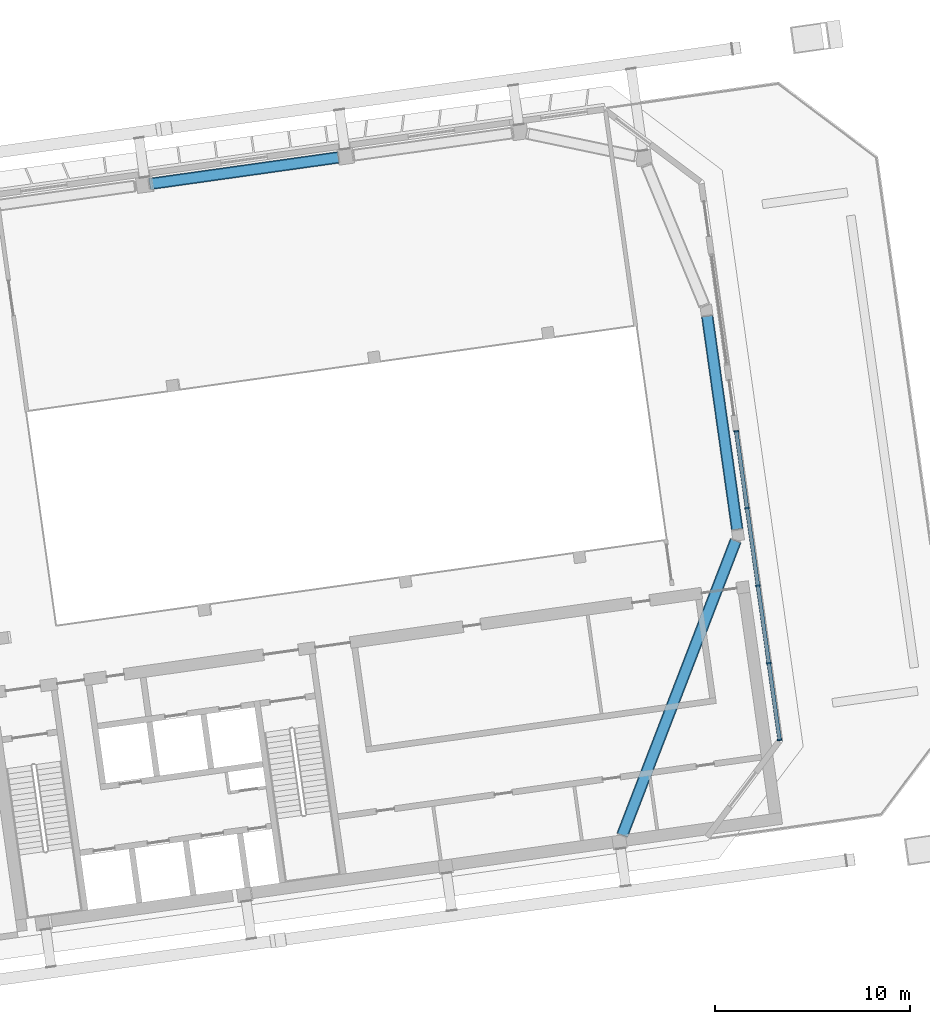
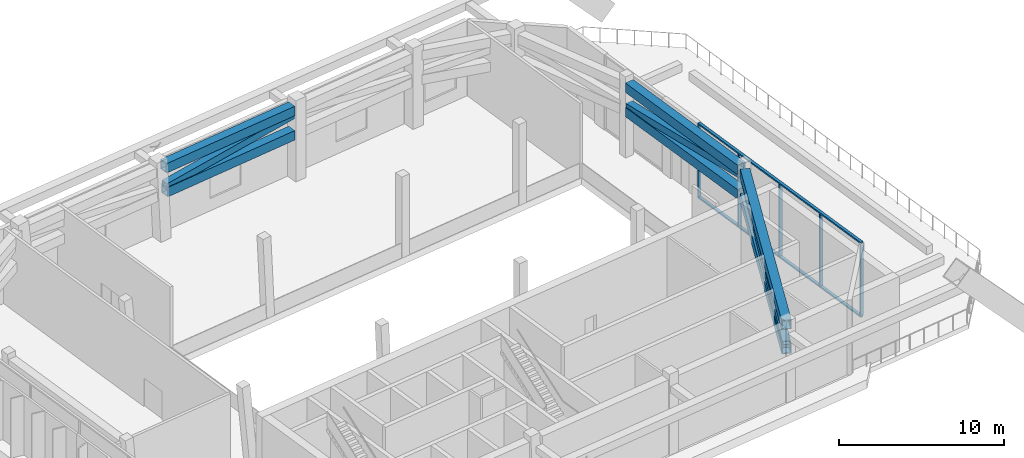
# One storey, part 11 of 29: 16 members, 1 element without a shape of its own.
"""IFC4 building model written with IfcOpenShell, lengths in metres."""

from ifc_helpers import new_model, si_unit, direction, frame, origin, origin_2d, place, context, subcontext, project, spatial, rectangle, hollow_rectangle, extrude, material, material_profile, profile_set, type_object, element, aggregate, save


model = new_model("IFC4")

# Units and contexts
model_context = context("Model", 3, precision=1e-05, world=origin(), true_north=direction((0.0, 1.0)))
body_context = subcontext(model_context, "Body", "Model", "MODEL_VIEW")
ifc_project = project(units=[si_unit("LENGTHUNIT", "METRE"), si_unit("AREAUNIT", "SQUARE_METRE"), si_unit("VOLUMEUNIT", "CUBIC_METRE"), si_unit("PLANEANGLEUNIT", "RADIAN"), si_unit("MASSUNIT", "GRAM", prefix="KILO")], contexts=[model_context])

# Site, building, storey
site_placement = place(None, origin())
site = spatial("IfcSite", under=ifc_project, at=site_placement, CompositionType="ELEMENT")
building_placement = place(site_placement, origin())
building = spatial("IfcBuilding", under=site, at=building_placement, Name="Mirante Cascada Hotel Towers", CompositionType="ELEMENT")
storey_placement = place(building_placement, frame((0.0, 0.0, 210.6)))
storey = spatial("IfcBuildingStorey", under=building, at=storey_placement, Name="L50", CompositionType="ELEMENT", Elevation=210.6)

# Members
ifc_material_1 = material(Name="Steel ASTM A572 Gr 50", Category="steel")
ifc_material_profile_1 = material_profile(ifc_material_1, hollow_rectangle(XDim=0.6, YDim=0.7, WallThickness=0.05, at=origin_2d()), Name="Box chord 700x600x50 ASTM A572 Gr 50")
ifc_profile_set_1 = profile_set([ifc_material_profile_1], Name="Steel ASTM A572 Gr 50")
member_type_1 = type_object("IfcMemberType", Name="Box chord 700x600x50 ASTM A572 Gr 50", PredefinedType="CHORD", material=ifc_profile_set_1)
member_1_placement = place(storey_placement, frame((44.0445, 18.4537, 5.2), z_axis=(0.9902685, 0.1391703, 0.0), x_axis=(-0.1391703, 0.9902685, 0.0)))
element("IfcMember", 1, at=member_1_placement, inside=storey, type_object=member_type_1, Name="belt T2 L50 7", PredefinedType="CHORD", context=body_context, shape_type="SweptSolid", body=[
    extrude(hollow_rectangle(XDim=0.6, YDim=0.7, WallThickness=0.05, at=origin_2d()), origin(), (0.0, 0.0, 1.0), 9.8656),
])
member_2_placement = place(storey_placement, frame((44.1327, 18.4661, 3.4), z_axis=(0.9902685, 0.1391699, 0.0), x_axis=(-0.1391699, 0.9902685, 0.0)))
element("IfcMember", 2, at=member_2_placement, inside=storey, type_object=member_type_1, Name="belt T2 L50 8", PredefinedType="CHORD", context=body_context, shape_type="SweptSolid", body=[
    extrude(hollow_rectangle(XDim=0.6, YDim=0.7, WallThickness=0.05, at=origin_2d()), origin(), (0.0, 0.0, 1.0), 9.7765),
])
for number, where, z_axis, x_axis, name in (
    (3, (72.7094, 11.6973, 5.2), (0.1391663, -0.990269, 0.0), (0.990269, 0.1391663, 0.0), "belt T2 L50 19"),
    (4, (72.7094, 11.6973, 3.4), (0.1391663, -0.990269, 0.0), (0.990269, 0.1391663, 0.0), "belt T2 L50 20"),
):
    element("IfcMember", number, at=place(storey_placement, frame(where, z_axis=z_axis, x_axis=x_axis)), inside=storey, type_object=member_type_1, Name=name, PredefinedType="CHORD", context=body_context, shape_type="SweptSolid", body=[
        extrude(hollow_rectangle(XDim=0.6, YDim=0.7, WallThickness=0.05, at=origin_2d()), origin(), (0.0, 0.0, 1.0), 11.04),
    ])
for number, where, z_axis, x_axis, name in (
    (5, (74.1686, 0.1858, 5.2), (-0.3595268, -0.9331348, 0.0), (0.9331348, -0.3595268, 0.0), "belt T2 L50 22"),
    (6, (74.1686, 0.1858, 3.4), (-0.3595268, -0.9331348, 0.0), (0.9331348, -0.3595268, 0.0), "belt T2 L50 23"),
):
    element("IfcMember", number, at=place(storey_placement, frame(where, z_axis=z_axis, x_axis=x_axis)), inside=storey, type_object=member_type_1, Name=name, PredefinedType="CHORD", context=body_context, shape_type="SweptSolid", body=[
        extrude(hollow_rectangle(XDim=0.6, YDim=0.7, WallThickness=0.05, at=origin_2d()), origin(), (0.0, 0.0, 1.0), 16.1724),
    ])
ifc_material_2 = material(Name="Steel ASTM A572 Gr 50", Category="steel")
ifc_material_profile_2 = material_profile(ifc_material_2, hollow_rectangle(XDim=0.5, YDim=0.5, WallThickness=0.035, at=origin_2d()), Name="Box diagonal 500x500x35 ASTM A572 Gr 50")
ifc_profile_set_2 = profile_set([ifc_material_profile_2], Name="Steel ASTM A572 Gr 50")
member_type_2 = type_object("IfcMemberType", Name="Box diagonal 500x500x35 ASTM A572 Gr 50", PredefinedType="BRACE", material=ifc_profile_set_2)
member_3_placement = place(storey_placement, frame((44.1327, 18.4661, 3.75), z_axis=(0.9840593, 0.1382973, 0.1118087), x_axis=(-0.1391699, 0.9902685, 0.0)))
element("IfcMember", 7, at=member_3_placement, inside=storey, type_object=member_type_2, Name="belt T2 L50 9", PredefinedType="BRACE", context=body_context, shape_type="SweptSolid", body=[
    extrude(hollow_rectangle(XDim=0.5, YDim=0.5, WallThickness=0.035, at=origin_2d()), origin(), (0.0, 0.0, 1.0), 9.8382),
])
member_4_placement = place(storey_placement, frame((72.7094, 11.6973, 3.75), z_axis=(0.1384806, -0.9853898, 0.0991465), x_axis=(0.990269, 0.1391663, 0.0)))
element("IfcMember", 8, at=member_4_placement, inside=storey, type_object=member_type_2, Name="belt T2 L50 21", PredefinedType="BRACE", context=body_context, shape_type="SweptSolid", body=[
    extrude(hollow_rectangle(XDim=0.5, YDim=0.5, WallThickness=0.035, at=origin_2d()), origin(), (0.0, 0.0, 1.0), 11.0947),
])
member_5_placement = place(storey_placement, frame((74.1686, 0.1858, 4.85), z_axis=(-0.358698, -0.9309837, -0.0678605), x_axis=(0.9331348, -0.3595268, 0.0)))
element("IfcMember", 9, at=member_5_placement, inside=storey, type_object=member_type_2, Name="belt T2 L50 24", PredefinedType="BRACE", context=body_context, shape_type="SweptSolid", body=[
    extrude(hollow_rectangle(XDim=0.5, YDim=0.5, WallThickness=0.035, at=origin_2d()), origin(), (0.0, 0.0, 1.0), 16.2097),
])

# Curtain wall, members
ifc_material_3 = material(Name="Aluminium mullion and transom frame with clear laminated glass", Category="aluminium")
curtain_wall_type = type_object("IfcCurtainWallType", Name="Sky garden curtain wall ECW4", PredefinedType="NOTDEFINED", material=ifc_material_3)
curtain_wall_placement = place(storey_placement, origin())
curtain_wall = element("IfcCurtainWall", 10, at=curtain_wall_placement, inside=storey, type_object=curtain_wall_type, Name="Sky garden wall T2 L50 run 1", PredefinedType="NOTDEFINED")
ifc_material_4 = material(Name="Anodised aluminium extrusion", Category="aluminium")
ifc_material_profile_3 = material_profile(ifc_material_4, rectangle(XDim=0.24, YDim=0.075, at=origin_2d()), Name="ECW4 MULLION 75x240")
ifc_profile_set_3 = profile_set([ifc_material_profile_3], Name="Anodised aluminium extrusion")
member_type_3 = type_object("IfcMemberType", Name="ECW4 mullion 75x240", PredefinedType="MULLION", material=ifc_profile_set_3)
member_6_placement = place(storey_placement, frame((76.4177, -10.0183, 0.11), z_axis=(0.0, 0.0, 1.0), x_axis=(-0.9902681, -0.1391731, 0.0)))
member_6 = element("IfcMember", 11, at=member_6_placement, type_object=member_type_3, Name="ECW4 mullion 1", PredefinedType="MULLION", context=body_context, shape_type="SweptSolid", body=[
    extrude(rectangle(XDim=0.24, YDim=0.075, at=origin_2d()), origin(), (0.0, 0.0, 1.0), 5.33),
])
member_7_placement = place(storey_placement, frame((75.8649, -6.085, 0.11), z_axis=(0.0, 0.0, 1.0), x_axis=(-0.9902681, -0.1391731, 0.0)))
member_7 = element("IfcMember", 12, at=member_7_placement, type_object=member_type_3, Name="ECW4 mullion 2", PredefinedType="MULLION", context=body_context, shape_type="SweptSolid", body=[
    extrude(rectangle(XDim=0.24, YDim=0.075, at=origin_2d()), origin(), (0.0, 0.0, 1.0), 5.33),
])
member_8_placement = place(storey_placement, frame((75.3069, -2.1146, 0.11), z_axis=(0.0, 0.0, 1.0), x_axis=(-0.9902681, -0.1391731, 0.0)))
member_8 = element("IfcMember", 13, at=member_8_placement, type_object=member_type_3, Name="ECW4 mullion 3", PredefinedType="MULLION", context=body_context, shape_type="SweptSolid", body=[
    extrude(rectangle(XDim=0.24, YDim=0.075, at=origin_2d()), origin(), (0.0, 0.0, 1.0), 5.33),
])
member_9_placement = place(storey_placement, frame((74.7489, 1.8559, 0.11), z_axis=(0.0, 0.0, 1.0), x_axis=(-0.9902681, -0.1391731, 0.0)))
member_9 = element("IfcMember", 14, at=member_9_placement, type_object=member_type_3, Name="ECW4 mullion 4", PredefinedType="MULLION", context=body_context, shape_type="SweptSolid", body=[
    extrude(rectangle(XDim=0.24, YDim=0.075, at=origin_2d()), origin(), (0.0, 0.0, 1.0), 5.33),
])
member_10_placement = place(storey_placement, frame((74.1961, 5.7892, 0.11), z_axis=(0.0, 0.0, 1.0), x_axis=(-0.9902681, -0.1391731, 0.0)))
member_10 = element("IfcMember", 15, at=member_10_placement, type_object=member_type_3, Name="ECW4 mullion 5", PredefinedType="MULLION", context=body_context, shape_type="SweptSolid", body=[
    extrude(rectangle(XDim=0.24, YDim=0.075, at=origin_2d()), origin(), (0.0, 0.0, 1.0), 5.33),
])
ifc_material_5 = material(Name="Anodised aluminium extrusion", Category="aluminium")
ifc_material_profile_4 = material_profile(ifc_material_5, rectangle(XDim=0.2, YDim=0.11, at=origin_2d()), Name="ECW4 TRANSOM 110x200")
ifc_profile_set_4 = profile_set([ifc_material_profile_4], Name="Anodised aluminium extrusion")
member_type_4 = type_object("IfcMemberType", Name="ECW4 transom 110x200", PredefinedType="USERDEFINED", material=ifc_profile_set_4)
member_11_placement = place(storey_placement, frame((76.4229, -10.0554, 0.055), z_axis=(-0.1391775, 0.9902674, 0.0), x_axis=(-0.9902674, -0.1391775, 0.0)))
member_11 = element("IfcMember", 16, at=member_11_placement, type_object=member_type_4, Name="ECW4 sill transom", ObjectType="TRANSOM", PredefinedType="USERDEFINED", context=body_context, shape_type="SweptSolid", body=[
    extrude(rectangle(XDim=0.2, YDim=0.11, at=origin_2d()), origin(), (0.0, 0.0, 1.0), 16.0378),
])
member_12_placement = place(storey_placement, frame((76.4229, -10.0554, 5.495), z_axis=(-0.1391775, 0.9902674, 0.0), x_axis=(-0.9902674, -0.1391775, 0.0)))
member_12 = element("IfcMember", 17, at=member_12_placement, type_object=member_type_4, Name="ECW4 head transom", ObjectType="TRANSOM", PredefinedType="USERDEFINED", context=body_context, shape_type="SweptSolid", body=[
    extrude(rectangle(XDim=0.2, YDim=0.11, at=origin_2d()), origin(), (0.0, 0.0, 1.0), 16.0378),
])
aggregate(curtain_wall, [member_11, member_12, member_6, member_7, member_8, member_9, member_10])

save(model, "model.ifc")
